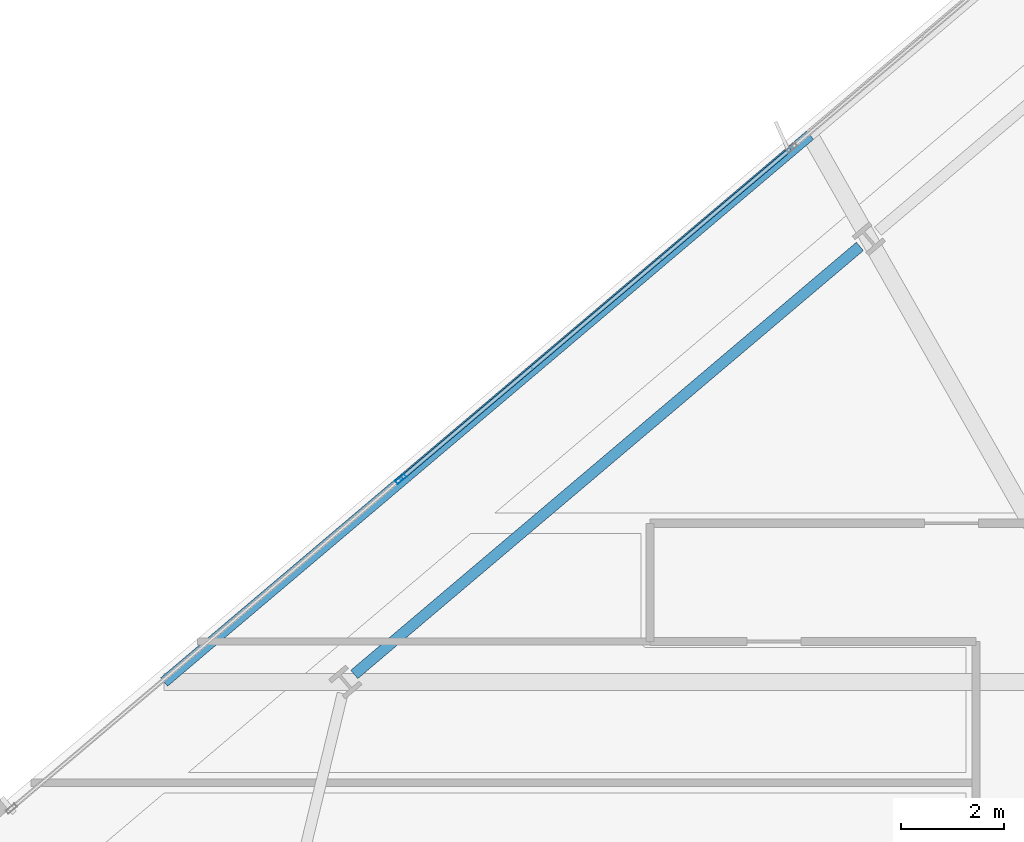
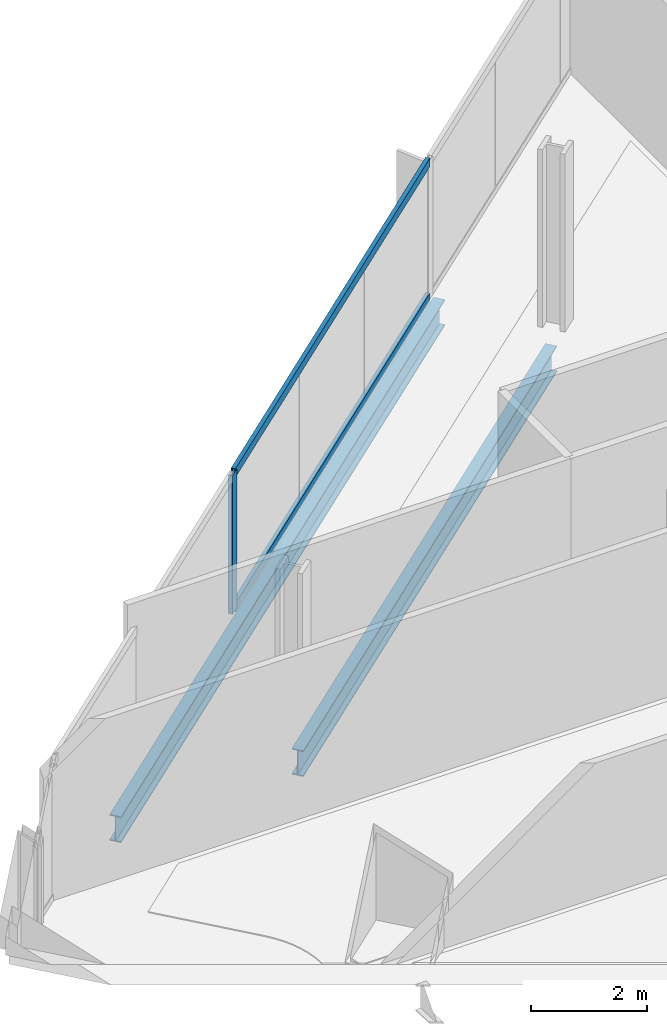
# One storey, part 16 of 34: 3 members, 2 beams, 1 element without a shape of its own.
"""IFC4 building model written with IfcOpenShell, lengths in metres."""

from ifc_helpers import new_model, si_unit, direction, frame, origin, origin_2d, place, context, subcontext, project, spatial, hollow_rectangle, i_section, extrude, material, material_profile, profile_set, type_object, element, aggregate, save


model = new_model("IFC4")

# Units and contexts
model_context = context("Model", 3, precision=1e-05, world=origin(), true_north=direction((0.0, 1.0)))
body_context = subcontext(model_context, "Body", "Model", "MODEL_VIEW")
ifc_project = project(units=[si_unit("LENGTHUNIT", "METRE"), si_unit("AREAUNIT", "SQUARE_METRE"), si_unit("VOLUMEUNIT", "CUBIC_METRE"), si_unit("PLANEANGLEUNIT", "RADIAN"), si_unit("MASSUNIT", "GRAM", prefix="KILO")], contexts=[model_context])

# Site, building, storey
site_placement = place(None, origin())
site = spatial("IfcSite", under=ifc_project, at=site_placement, CompositionType="ELEMENT")
building_placement = place(site_placement, origin())
building = spatial("IfcBuilding", under=site, at=building_placement, Name="Haldenkirk Collegiate Tower", CompositionType="ELEMENT")
storey_placement = place(building_placement, frame((0.0, 0.0, 163.199951171875)))
storey = spatial("IfcBuildingStorey", under=building, at=storey_placement, Name="L40", CompositionType="ELEMENT", Elevation=163.199951171875)

# Beams
ifc_material_1 = material(Name="Steel ASTM A992 Grade 50", Category="steel")
ifc_material_profile_1 = material_profile(ifc_material_1, i_section(OverallWidth=0.2119140625, OverallDepth=0.5439453125, WebThickness=0.01318359375, FlangeThickness=0.021240234375, at=origin_2d()), Name="W21X83")
ifc_profile_set_1 = profile_set([ifc_material_profile_1], Name="Steel ASTM A992 Grade 50")
beam_type = type_object("IfcBeamType", Name="BM-SPANDREL-W21X83", PredefinedType="SPANDREL", material=ifc_profile_set_1)
beam_1_placement = place(storey_placement, frame((22.288818359375, 41.841796875, -0.56201171875), z_axis=(-0.76322543275, -0.64613229203, 0.0), x_axis=(0.64613229203, -0.76322543275, 0.0)))
element("IfcBeam", 1, at=beam_1_placement, inside=storey, type_object=beam_type, Name="L40 perimeter spandrel beam 11", PredefinedType="SPANDREL", context=body_context, shape_type="SweptSolid", body=[
    extrude(i_section(OverallWidth=0.2119140625, OverallDepth=0.5439453125, WebThickness=0.01318359375, FlangeThickness=0.021240234375, at=origin_2d()), origin(), (0.0, 0.0, 1.0), 12.89794921875),
])
beam_2_placement = place(storey_placement, frame((21.318115234375, 44.00732421875, -0.56201171875), z_axis=(-0.763230034193, -0.646126856667, 0.0), x_axis=(0.646126856667, -0.763230034193, 0.0)))
element("IfcBeam", 2, at=beam_2_placement, inside=storey, type_object=beam_type, Name="L40 outer facade edge beam 3B", PredefinedType="SPANDREL", context=body_context, shape_type="SweptSolid", body=[
    extrude(i_section(OverallWidth=0.2119140625, OverallDepth=0.5439453125, WebThickness=0.01318359375, FlangeThickness=0.021240234375, at=origin_2d()), origin(), (0.0, 0.0, 1.0), 16.478515625),
])

# Curtain wall, members
ifc_material_2 = material(Name="Anodised architectural bronze aluminium", Category="aluminium")
curtain_wall_type = type_object("IfcCurtainWallType", Name="CW-SYS1-CONVEX-LOW", PredefinedType="USERDEFINED", material=ifc_material_2)
curtain_wall_placement = place(storey_placement, origin())
curtain_wall = element("IfcCurtainWall", 3, at=curtain_wall_placement, inside=storey, type_object=curtain_wall_type, Name="L40 Lower tower convex bronze-framed unitised curtain wall", ObjectType="UNITISED CURTAIN WALL", PredefinedType="USERDEFINED")
ifc_material_profile_2 = material_profile(ifc_material_2, hollow_rectangle(XDim=0.080078125, YDim=0.219970703125, WallThickness=0.0048828125, at=origin_2d()), Name="CW-MUL-1A")
ifc_profile_set_2 = profile_set([ifc_material_profile_2], Name="Anodised architectural bronze aluminium")
member_type_1 = type_object("IfcMemberType", Name="CW-MUL-1A", PredefinedType="MULLION", material=ifc_profile_set_2)
member_1_placement = place(storey_placement, frame((13.3515625, 37.315185546875, 0.0), z_axis=(0.0, 0.0, 1.0), x_axis=(-0.646124454254, 0.763232067994, 0.0)))
member_1 = element("IfcMember", 4, at=member_1_placement, type_object=member_type_1, Name="CW-1A mullion 2", PredefinedType="MULLION", context=body_context, shape_type="SweptSolid", body=[
    extrude(hollow_rectangle(XDim=0.080078125, YDim=0.219970703125, WallThickness=0.0048828125, at=origin_2d()), origin(), (0.0, 0.0, 1.0), 2.9111328125),
])
ifc_material_profile_3 = material_profile(ifc_material_2, hollow_rectangle(XDim=0.080078125, YDim=0.179931640625, WallThickness=0.0048828125, at=origin_2d()), Name="CW-TRN-1A")
ifc_profile_set_3 = profile_set([ifc_material_profile_3], Name="Anodised architectural bronze aluminium")
member_type_2 = type_object("IfcMemberType", Name="CW-TRN-1A", PredefinedType="USERDEFINED", material=ifc_profile_set_3)
member_2_placement = place(storey_placement, frame((13.382080078125, 37.341064453125, 0.0400390625), z_axis=(0.763216864669, 0.646142412697, 0.0), x_axis=(-0.646142412697, 0.763216864669, 0.0)))
member_2 = element("IfcMember", 5, at=member_2_placement, type_object=member_type_2, Name="CW-1A transom 2.1", ObjectType="TRANSOM", PredefinedType="USERDEFINED", context=body_context, shape_type="SweptSolid", body=[
    extrude(hollow_rectangle(XDim=0.080078125, YDim=0.179931640625, WallThickness=0.0048828125, at=origin_2d()), origin(), (0.0, 0.0, 1.0), 9.89501953125),
])
member_3_placement = place(storey_placement, frame((13.382080078125, 37.341064453125, 2.87109375), z_axis=(0.763216864669, 0.646142412697, 0.0), x_axis=(-0.646142412697, 0.763216864669, 0.0)))
member_3 = element("IfcMember", 6, at=member_3_placement, type_object=member_type_2, Name="CW-1A transom 2.2", ObjectType="TRANSOM", PredefinedType="USERDEFINED", context=body_context, shape_type="SweptSolid", body=[
    extrude(hollow_rectangle(XDim=0.080078125, YDim=0.179931640625, WallThickness=0.0048828125, at=origin_2d()), origin(), (0.0, 0.0, 1.0), 9.89501953125),
])
aggregate(curtain_wall, [member_1, member_2, member_3])

save(model, "model.ifc")
